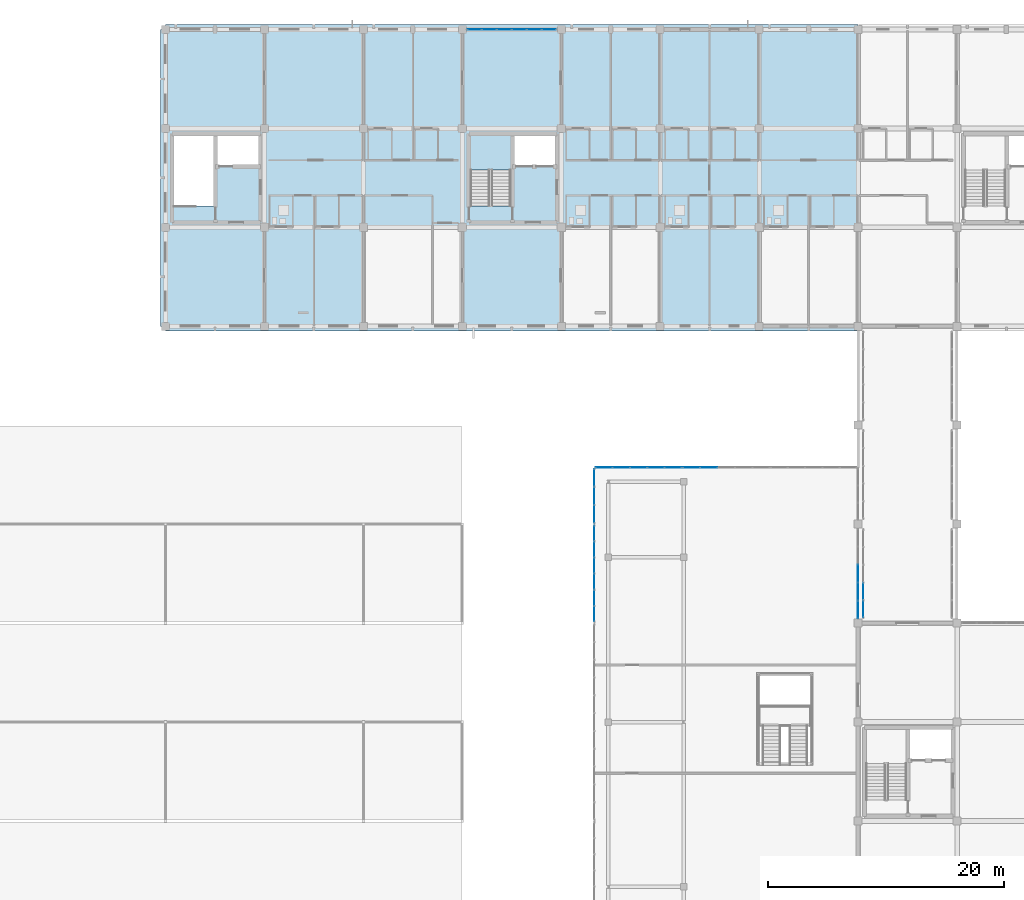
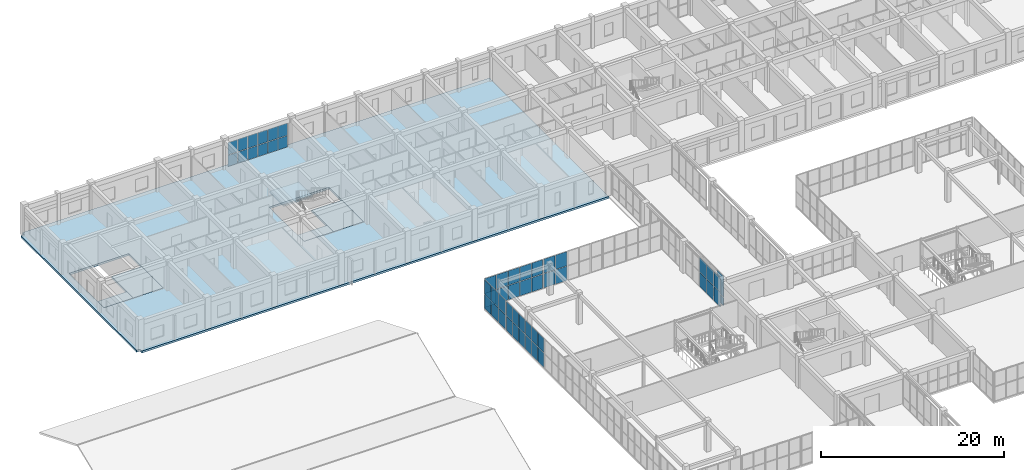
# One storey, part 101 of 140: 53 plates, 6 slabs, 8 elements without a shape of their own.
"""IFC4 building model written with IfcOpenShell, lengths in metres."""

from ifc_helpers import new_model, si_unit, direction, frame, origin, origin_2d, place, context, subcontext, project, spatial, polyline, rectangle, outline, extrude, material, layer, layer_set, type_object, element, aggregate, save


model = new_model("IFC4")

# Units and contexts
model_context = context("Model", 3, precision=1e-05, world=origin(), true_north=direction((0.0, 1.0)))
body_context = subcontext(model_context, "Body", "Model", "MODEL_VIEW")
ifc_project = project(units=[si_unit("LENGTHUNIT", "METRE"), si_unit("AREAUNIT", "SQUARE_METRE"), si_unit("VOLUMEUNIT", "CUBIC_METRE"), si_unit("PLANEANGLEUNIT", "RADIAN"), si_unit("MASSUNIT", "GRAM", prefix="KILO")], contexts=[model_context])

# Site, building, storey
site_placement = place(None, origin())
site = spatial("IfcSite", under=ifc_project, at=site_placement, CompositionType="ELEMENT")
building_placement = place(site_placement, origin())
building = spatial("IfcBuilding", under=site, at=building_placement, Name="Trelvath General Hospital", CompositionType="ELEMENT")
storey_placement = place(building_placement, frame((0.0, 0.0, 16.199951171875)))
storey = spatial("IfcBuildingStorey", under=building, at=storey_placement, Name="L04", CompositionType="ELEMENT", Elevation=16.199951171875)

# Curtain wall, plates
ifc_material_1 = material(Name="Anodised aluminium and low-E glass", Category="aluminium")
ifc_layer_1 = layer(ifc_material_1, 0.14990234375)
ifc_layer_set_1 = layer_set([ifc_layer_1], Name="Anodised aluminium and low-E glass")
curtain_wall_type_1 = type_object("IfcCurtainWallType", Name="CW Facade 761 332 15", PredefinedType="USERDEFINED", material=ifc_layer_set_1)
curtain_wall_1_placement = place(storey_placement, origin())
curtain_wall_1 = element("IfcCurtainWall", 1, at=curtain_wall_1_placement, inside=storey, type_object=curtain_wall_type_1, Name="Facade Curtain Wall CW-063", ObjectType="Unitised Glazed Curtain Wall", PredefinedType="USERDEFINED")
ifc_material_2 = material(Name="Low-E laminated glass", Category="glass")
ifc_layer_2 = layer(ifc_material_2, 0.028076171875)
ifc_layer_set_2 = layer_set([ifc_layer_2], Name="Low-E laminated glass")
plate_type = type_object("IfcPlateType", Name="CurtainPanel Glass28", PredefinedType="CURTAIN_PANEL", material=ifc_layer_set_2)
plate_1_placement = place(storey_placement, frame((43.044189453125, 117.60009765625, 0.06005859375), z_axis=(0.0, 0.0, 1.0), x_axis=(1.0, 0.0, 0.0)))
plate_1 = element("IfcPlate", 2, at=plate_1_placement, type_object=plate_type, Name="CW-063 panel 1.1", PredefinedType="CURTAIN_PANEL", context=body_context, shape_type="SweptSolid", body=[
    extrude(rectangle(XDim=1.17822265625, YDim=0.028076171875, at=origin_2d()), origin(), (0.0, 0.0, 1.0), 1.50390625),
])
plate_2_placement = place(storey_placement, frame((43.044189453125, 117.60009765625, 1.6240234375), z_axis=(0.0, 0.0, 1.0), x_axis=(1.0, 0.0, 0.0)))
plate_2 = element("IfcPlate", 3, at=plate_2_placement, type_object=plate_type, Name="CW-063 panel 1.2", PredefinedType="CURTAIN_PANEL", context=body_context, shape_type="SweptSolid", body=[
    extrude(rectangle(XDim=1.17822265625, YDim=0.028076171875, at=origin_2d()), origin(), (0.0, 0.0, 1.0), 1.635986328125),
])
plate_3_placement = place(storey_placement, frame((44.297607421875, 117.60009765625, 0.06005859375), z_axis=(0.0, 0.0, 1.0), x_axis=(1.0, 0.0, 0.0)))
plate_3 = element("IfcPlate", 4, at=plate_3_placement, type_object=plate_type, Name="CW-063 panel 2.1", PredefinedType="CURTAIN_PANEL", context=body_context, shape_type="SweptSolid", body=[
    extrude(rectangle(XDim=1.208251953125, YDim=0.028076171875, at=origin_2d()), origin(), (0.0, 0.0, 1.0), 1.50390625),
])
plate_4_placement = place(storey_placement, frame((44.297607421875, 117.60009765625, 1.6240234375), z_axis=(0.0, 0.0, 1.0), x_axis=(1.0, 0.0, 0.0)))
plate_4 = element("IfcPlate", 5, at=plate_4_placement, type_object=plate_type, Name="CW-063 panel 2.2", PredefinedType="CURTAIN_PANEL", context=body_context, shape_type="SweptSolid", body=[
    extrude(rectangle(XDim=1.208251953125, YDim=0.028076171875, at=origin_2d()), origin(), (0.0, 0.0, 1.0), 1.635986328125),
])
plate_5_placement = place(storey_placement, frame((45.56591796875, 117.60009765625, 0.06005859375), z_axis=(0.0, 0.0, 1.0), x_axis=(1.0, 0.0, 0.0)))
plate_5 = element("IfcPlate", 6, at=plate_5_placement, type_object=plate_type, Name="CW-063 panel 3.1", PredefinedType="CURTAIN_PANEL", context=body_context, shape_type="SweptSolid", body=[
    extrude(rectangle(XDim=1.208251953125, YDim=0.028076171875, at=origin_2d()), origin(), (0.0, 0.0, 1.0), 1.50390625),
])
plate_6_placement = place(storey_placement, frame((45.56591796875, 117.60009765625, 1.6240234375), z_axis=(0.0, 0.0, 1.0), x_axis=(1.0, 0.0, 0.0)))
plate_6 = element("IfcPlate", 7, at=plate_6_placement, type_object=plate_type, Name="CW-063 panel 3.2", PredefinedType="CURTAIN_PANEL", context=body_context, shape_type="SweptSolid", body=[
    extrude(rectangle(XDim=1.208251953125, YDim=0.028076171875, at=origin_2d()), origin(), (0.0, 0.0, 1.0), 1.635986328125),
])
plate_7_placement = place(storey_placement, frame((46.834228515625, 117.60009765625, 0.06005859375), z_axis=(0.0, 0.0, 1.0), x_axis=(1.0, 0.0, 0.0)))
plate_7 = element("IfcPlate", 8, at=plate_7_placement, type_object=plate_type, Name="CW-063 panel 4.1", PredefinedType="CURTAIN_PANEL", context=body_context, shape_type="SweptSolid", body=[
    extrude(rectangle(XDim=1.208251953125, YDim=0.028076171875, at=origin_2d()), origin(), (0.0, 0.0, 1.0), 1.50390625),
])
plate_8_placement = place(storey_placement, frame((46.834228515625, 117.60009765625, 1.6240234375), z_axis=(0.0, 0.0, 1.0), x_axis=(1.0, 0.0, 0.0)))
plate_8 = element("IfcPlate", 9, at=plate_8_placement, type_object=plate_type, Name="CW-063 panel 4.2", PredefinedType="CURTAIN_PANEL", context=body_context, shape_type="SweptSolid", body=[
    extrude(rectangle(XDim=1.208251953125, YDim=0.028076171875, at=origin_2d()), origin(), (0.0, 0.0, 1.0), 1.635986328125),
])
plate_9_placement = place(storey_placement, frame((48.1025390625, 117.60009765625, 0.06005859375), z_axis=(0.0, 0.0, 1.0), x_axis=(1.0, 0.0, 0.0)))
plate_9 = element("IfcPlate", 10, at=plate_9_placement, type_object=plate_type, Name="CW-063 panel 5.1", PredefinedType="CURTAIN_PANEL", context=body_context, shape_type="SweptSolid", body=[
    extrude(rectangle(XDim=1.208251953125, YDim=0.028076171875, at=origin_2d()), origin(), (0.0, 0.0, 1.0), 1.50390625),
])
plate_10_placement = place(storey_placement, frame((48.1025390625, 117.60009765625, 1.6240234375), z_axis=(0.0, 0.0, 1.0), x_axis=(1.0, 0.0, 0.0)))
plate_10 = element("IfcPlate", 11, at=plate_10_placement, type_object=plate_type, Name="CW-063 panel 5.2", PredefinedType="CURTAIN_PANEL", context=body_context, shape_type="SweptSolid", body=[
    extrude(rectangle(XDim=1.208251953125, YDim=0.028076171875, at=origin_2d()), origin(), (0.0, 0.0, 1.0), 1.635986328125),
])
plate_11_placement = place(storey_placement, frame((49.355712890625, 117.60009765625, 0.06005859375), z_axis=(0.0, 0.0, 1.0), x_axis=(1.0, 0.0, 0.0)))
plate_11 = element("IfcPlate", 12, at=plate_11_placement, type_object=plate_type, Name="CW-063 panel 6.1", PredefinedType="CURTAIN_PANEL", context=body_context, shape_type="SweptSolid", body=[
    extrude(rectangle(XDim=1.17822265625, YDim=0.028076171875, at=origin_2d()), origin(), (0.0, 0.0, 1.0), 1.50390625),
])
plate_12_placement = place(storey_placement, frame((49.355712890625, 117.60009765625, 1.6240234375), z_axis=(0.0, 0.0, 1.0), x_axis=(1.0, 0.0, 0.0)))
plate_12 = element("IfcPlate", 13, at=plate_12_placement, type_object=plate_type, Name="CW-063 panel 6.2", PredefinedType="CURTAIN_PANEL", context=body_context, shape_type="SweptSolid", body=[
    extrude(rectangle(XDim=1.17822265625, YDim=0.028076171875, at=origin_2d()), origin(), (0.0, 0.0, 1.0), 1.635986328125),
])
aggregate(curtain_wall_1, [plate_1, plate_2, plate_3, plate_4, plate_5, plate_6, plate_7, plate_8, plate_9, plate_10, plate_11, plate_12])

ifc_material_3 = material(Name="Anodised aluminium and low-E glass", Category="aluminium")
ifc_layer_3 = layer(ifc_material_3, 0.139892578125)
ifc_layer_set_3 = layer_set([ifc_layer_3], Name="Anodised aluminium and low-E glass")
curtain_wall_type_2 = type_object("IfcCurtainWallType", Name="CW CrystalCube 737 396 14", PredefinedType="USERDEFINED", material=ifc_layer_set_3)
curtain_wall_2_placement = place(storey_placement, origin())
curtain_wall_2 = element("IfcCurtainWall", 14, at=curtain_wall_2_placement, inside=storey, type_object=curtain_wall_type_2, Name="Crystal Cube Curtain Wall CUBE-W-T1 N1 L04", ObjectType="Unitised Glazed Curtain Wall", PredefinedType="USERDEFINED")
plate_13_placement = place(storey_placement, frame((54.03173828125, 80.39990234375, 0.06005859375), z_axis=(0.0, 0.0, 1.0), x_axis=(1.0, 0.0, 0.0)))
plate_13 = element("IfcPlate", 15, at=plate_13_placement, type_object=plate_type, Name="CW-271 panel 1.1", PredefinedType="CURTAIN_PANEL", context=body_context, shape_type="SweptSolid", body=[
    extrude(rectangle(XDim=1.38330078125, YDim=0.028076171875, at=origin_2d()), origin(), (0.0, 0.0, 1.0), 1.889892578125),
])
plate_14_placement = place(storey_placement, frame((54.03173828125, 80.39990234375, 2.01025390625), z_axis=(0.0, 0.0, 1.0), x_axis=(1.0, 0.0, 0.0)))
plate_14 = element("IfcPlate", 16, at=plate_14_placement, type_object=plate_type, Name="CW-271 panel 1.2", PredefinedType="CURTAIN_PANEL", context=body_context, shape_type="SweptSolid", body=[
    extrude(rectangle(XDim=1.38330078125, YDim=0.028076171875, at=origin_2d()), origin(), (0.0, 0.0, 1.0), 1.889892578125),
])
plate_15_placement = place(storey_placement, frame((55.489990234375, 80.39990234375, 0.06005859375), z_axis=(0.0, 0.0, 1.0), x_axis=(1.0, 0.0, 0.0)))
plate_15 = element("IfcPlate", 17, at=plate_15_placement, type_object=plate_type, Name="CW-271 panel 2.1", PredefinedType="CURTAIN_PANEL", context=body_context, shape_type="SweptSolid", body=[
    extrude(rectangle(XDim=1.413330078125, YDim=0.028076171875, at=origin_2d()), origin(), (0.0, 0.0, 1.0), 1.889892578125),
])
plate_16_placement = place(storey_placement, frame((55.489990234375, 80.39990234375, 2.01025390625), z_axis=(0.0, 0.0, 1.0), x_axis=(1.0, 0.0, 0.0)))
plate_16 = element("IfcPlate", 18, at=plate_16_placement, type_object=plate_type, Name="CW-271 panel 2.2", PredefinedType="CURTAIN_PANEL", context=body_context, shape_type="SweptSolid", body=[
    extrude(rectangle(XDim=1.413330078125, YDim=0.028076171875, at=origin_2d()), origin(), (0.0, 0.0, 1.0), 1.889892578125),
])
plate_17_placement = place(storey_placement, frame((56.96337890625, 80.39990234375, 0.06005859375), z_axis=(0.0, 0.0, 1.0), x_axis=(1.0, 0.0, 0.0)))
plate_17 = element("IfcPlate", 19, at=plate_17_placement, type_object=plate_type, Name="CW-271 panel 3.1", PredefinedType="CURTAIN_PANEL", context=body_context, shape_type="SweptSolid", body=[
    extrude(rectangle(XDim=1.413330078125, YDim=0.028076171875, at=origin_2d()), origin(), (0.0, 0.0, 1.0), 1.889892578125),
])
plate_18_placement = place(storey_placement, frame((56.96337890625, 80.39990234375, 2.01025390625), z_axis=(0.0, 0.0, 1.0), x_axis=(1.0, 0.0, 0.0)))
plate_18 = element("IfcPlate", 20, at=plate_18_placement, type_object=plate_type, Name="CW-271 panel 3.2", PredefinedType="CURTAIN_PANEL", context=body_context, shape_type="SweptSolid", body=[
    extrude(rectangle(XDim=1.413330078125, YDim=0.028076171875, at=origin_2d()), origin(), (0.0, 0.0, 1.0), 1.889892578125),
])
plate_19_placement = place(storey_placement, frame((58.436767578125, 80.39990234375, 0.06005859375), z_axis=(0.0, 0.0, 1.0), x_axis=(1.0, 0.0, 0.0)))
plate_19 = element("IfcPlate", 21, at=plate_19_placement, type_object=plate_type, Name="CW-271 panel 4.1", PredefinedType="CURTAIN_PANEL", context=body_context, shape_type="SweptSolid", body=[
    extrude(rectangle(XDim=1.413330078125, YDim=0.028076171875, at=origin_2d()), origin(), (0.0, 0.0, 1.0), 1.889892578125),
])
plate_20_placement = place(storey_placement, frame((58.436767578125, 80.39990234375, 2.01025390625), z_axis=(0.0, 0.0, 1.0), x_axis=(1.0, 0.0, 0.0)))
plate_20 = element("IfcPlate", 22, at=plate_20_placement, type_object=plate_type, Name="CW-271 panel 4.2", PredefinedType="CURTAIN_PANEL", context=body_context, shape_type="SweptSolid", body=[
    extrude(rectangle(XDim=1.413330078125, YDim=0.028076171875, at=origin_2d()), origin(), (0.0, 0.0, 1.0), 1.889892578125),
])
plate_21_placement = place(storey_placement, frame((59.89501953125, 80.39990234375, 0.06005859375), z_axis=(0.0, 0.0, 1.0), x_axis=(1.0, 0.0, 0.0)))
plate_21 = element("IfcPlate", 23, at=plate_21_placement, type_object=plate_type, Name="CW-271 panel 5.1", PredefinedType="CURTAIN_PANEL", context=body_context, shape_type="SweptSolid", body=[
    extrude(rectangle(XDim=1.38330078125, YDim=0.028076171875, at=origin_2d()), origin(), (0.0, 0.0, 1.0), 1.889892578125),
])
plate_22_placement = place(storey_placement, frame((59.89501953125, 80.39990234375, 2.01025390625), z_axis=(0.0, 0.0, 1.0), x_axis=(1.0, 0.0, 0.0)))
plate_22 = element("IfcPlate", 24, at=plate_22_placement, type_object=plate_type, Name="CW-271 panel 5.2", PredefinedType="CURTAIN_PANEL", context=body_context, shape_type="SweptSolid", body=[
    extrude(rectangle(XDim=1.38330078125, YDim=0.028076171875, at=origin_2d()), origin(), (0.0, 0.0, 1.0), 1.889892578125),
])
aggregate(curtain_wall_2, [plate_13, plate_14, plate_15, plate_16, plate_17, plate_18, plate_19, plate_20, plate_21, plate_22])

ifc_material_4 = material(Name="Anodised aluminium and low-E glass", Category="aluminium")
ifc_layer_4 = layer(ifc_material_4, 0.139892578125)
ifc_layer_set_4 = layer_set([ifc_layer_4], Name="Anodised aluminium and low-E glass")
curtain_wall_type_3 = type_object("IfcCurtainWallType", Name="CW CrystalCube 743 396 14", PredefinedType="USERDEFINED", material=ifc_layer_set_4)
curtain_wall_3_placement = place(storey_placement, origin())
curtain_wall_3 = element("IfcCurtainWall", 25, at=curtain_wall_3_placement, inside=storey, type_object=curtain_wall_type_3, Name="Crystal Cube Curtain Wall CUBE-W-T1 N2 L04", ObjectType="Unitised Glazed Curtain Wall", PredefinedType="USERDEFINED")
plate_23_placement = place(storey_placement, frame((61.4443359375, 80.39990234375, 0.06005859375), z_axis=(0.0, 0.0, 1.0), x_axis=(1.0, 0.0, 0.0)))
plate_23 = element("IfcPlate", 26, at=plate_23_placement, type_object=plate_type, Name="CW-272 panel 1.1", PredefinedType="CURTAIN_PANEL", context=body_context, shape_type="SweptSolid", body=[
    extrude(rectangle(XDim=1.395263671875, YDim=0.028076171875, at=origin_2d()), origin(), (0.0, 0.0, 1.0), 1.889892578125),
])
plate_24_placement = place(storey_placement, frame((61.4443359375, 80.39990234375, 2.01025390625), z_axis=(0.0, 0.0, 1.0), x_axis=(1.0, 0.0, 0.0)))
plate_24 = element("IfcPlate", 27, at=plate_24_placement, type_object=plate_type, Name="CW-272 panel 1.2", PredefinedType="CURTAIN_PANEL", context=body_context, shape_type="SweptSolid", body=[
    extrude(rectangle(XDim=1.395263671875, YDim=0.028076171875, at=origin_2d()), origin(), (0.0, 0.0, 1.0), 1.889892578125),
])
plate_25_placement = place(storey_placement, frame((62.914794921875, 80.39990234375, 0.06005859375), z_axis=(0.0, 0.0, 1.0), x_axis=(1.0, 0.0, 0.0)))
plate_25 = element("IfcPlate", 28, at=plate_25_placement, type_object=plate_type, Name="CW-272 panel 2.1", PredefinedType="CURTAIN_PANEL", context=body_context, shape_type="SweptSolid", body=[
    extrude(rectangle(XDim=1.42529296875, YDim=0.028076171875, at=origin_2d()), origin(), (0.0, 0.0, 1.0), 1.889892578125),
])
plate_26_placement = place(storey_placement, frame((62.914794921875, 80.39990234375, 2.01025390625), z_axis=(0.0, 0.0, 1.0), x_axis=(1.0, 0.0, 0.0)))
plate_26 = element("IfcPlate", 29, at=plate_26_placement, type_object=plate_type, Name="CW-272 panel 2.2", PredefinedType="CURTAIN_PANEL", context=body_context, shape_type="SweptSolid", body=[
    extrude(rectangle(XDim=1.42529296875, YDim=0.028076171875, at=origin_2d()), origin(), (0.0, 0.0, 1.0), 1.889892578125),
])
aggregate(curtain_wall_3, [plate_23, plate_24, plate_25, plate_26])

ifc_material_5 = material(Name="Anodised aluminium and low-E glass", Category="aluminium")
ifc_layer_5 = layer(ifc_material_5, 0.139892578125)
ifc_layer_set_5 = layer_set([ifc_layer_5], Name="Anodised aluminium and low-E glass")
curtain_wall_type_4 = type_object("IfcCurtainWallType", Name="CW CrystalCube 824 396 14", PredefinedType="USERDEFINED", material=ifc_layer_set_5)
curtain_wall_4_placement = place(storey_placement, origin())
curtain_wall_4 = element("IfcCurtainWall", 30, at=curtain_wall_4_placement, inside=storey, type_object=curtain_wall_type_4, Name="Crystal Cube Curtain Wall CUBE-W-T1 W4 L04", ObjectType="Unitised Glazed Curtain Wall", PredefinedType="USERDEFINED")
plate_27_placement = place(storey_placement, frame((53.199951171875, 67.981689453125, 0.06005859375), z_axis=(0.0, 0.0, 1.0), x_axis=(0.0, 1.0, 0.0)))
plate_27 = element("IfcPlate", 31, at=plate_27_placement, type_object=plate_type, Name="CW-278 panel 1.1", PredefinedType="CURTAIN_PANEL", context=body_context, shape_type="SweptSolid", body=[
    extrude(rectangle(XDim=1.283447265625, YDim=0.028076171875, at=origin_2d()), origin(), (0.0, 0.0, 1.0), 1.889892578125),
])
plate_28_placement = place(storey_placement, frame((53.199951171875, 67.981689453125, 2.01025390625), z_axis=(0.0, 0.0, 1.0), x_axis=(0.0, 1.0, 0.0)))
plate_28 = element("IfcPlate", 32, at=plate_28_placement, type_object=plate_type, Name="CW-278 panel 1.2", PredefinedType="CURTAIN_PANEL", context=body_context, shape_type="SweptSolid", body=[
    extrude(rectangle(XDim=1.283447265625, YDim=0.028076171875, at=origin_2d()), origin(), (0.0, 0.0, 1.0), 1.889892578125),
])
plate_29_placement = place(storey_placement, frame((53.199951171875, 69.340087890625, 0.06005859375), z_axis=(0.0, 0.0, 1.0), x_axis=(0.0, 1.0, 0.0)))
plate_29 = element("IfcPlate", 33, at=plate_29_placement, type_object=plate_type, Name="CW-278 panel 2.1", PredefinedType="CURTAIN_PANEL", context=body_context, shape_type="SweptSolid", body=[
    extrude(rectangle(XDim=1.313232421875, YDim=0.028076171875, at=origin_2d()), origin(), (0.0, 0.0, 1.0), 1.889892578125),
])
plate_30_placement = place(storey_placement, frame((53.199951171875, 69.340087890625, 2.01025390625), z_axis=(0.0, 0.0, 1.0), x_axis=(0.0, 1.0, 0.0)))
plate_30 = element("IfcPlate", 34, at=plate_30_placement, type_object=plate_type, Name="CW-278 panel 2.2", PredefinedType="CURTAIN_PANEL", context=body_context, shape_type="SweptSolid", body=[
    extrude(rectangle(XDim=1.313232421875, YDim=0.028076171875, at=origin_2d()), origin(), (0.0, 0.0, 1.0), 1.889892578125),
])
plate_31_placement = place(storey_placement, frame((53.199951171875, 70.71337890625, 0.06005859375), z_axis=(0.0, 0.0, 1.0), x_axis=(0.0, 1.0, 0.0)))
plate_31 = element("IfcPlate", 35, at=plate_31_placement, type_object=plate_type, Name="CW-278 panel 3.1", PredefinedType="CURTAIN_PANEL", context=body_context, shape_type="SweptSolid", body=[
    extrude(rectangle(XDim=1.313232421875, YDim=0.028076171875, at=origin_2d()), origin(), (0.0, 0.0, 1.0), 1.889892578125),
])
plate_32_placement = place(storey_placement, frame((53.199951171875, 70.71337890625, 2.01025390625), z_axis=(0.0, 0.0, 1.0), x_axis=(0.0, 1.0, 0.0)))
plate_32 = element("IfcPlate", 36, at=plate_32_placement, type_object=plate_type, Name="CW-278 panel 3.2", PredefinedType="CURTAIN_PANEL", context=body_context, shape_type="SweptSolid", body=[
    extrude(rectangle(XDim=1.313232421875, YDim=0.028076171875, at=origin_2d()), origin(), (0.0, 0.0, 1.0), 1.889892578125),
])
plate_33_placement = place(storey_placement, frame((53.199951171875, 72.086669921875, 0.06005859375), z_axis=(0.0, 0.0, 1.0), x_axis=(0.0, 1.0, 0.0)))
plate_33 = element("IfcPlate", 37, at=plate_33_placement, type_object=plate_type, Name="CW-278 panel 4.1", PredefinedType="CURTAIN_PANEL", context=body_context, shape_type="SweptSolid", body=[
    extrude(rectangle(XDim=1.313232421875, YDim=0.028076171875, at=origin_2d()), origin(), (0.0, 0.0, 1.0), 1.889892578125),
])
plate_34_placement = place(storey_placement, frame((53.199951171875, 72.086669921875, 2.01025390625), z_axis=(0.0, 0.0, 1.0), x_axis=(0.0, 1.0, 0.0)))
plate_34 = element("IfcPlate", 38, at=plate_34_placement, type_object=plate_type, Name="CW-278 panel 4.2", PredefinedType="CURTAIN_PANEL", context=body_context, shape_type="SweptSolid", body=[
    extrude(rectangle(XDim=1.313232421875, YDim=0.028076171875, at=origin_2d()), origin(), (0.0, 0.0, 1.0), 1.889892578125),
])
plate_35_placement = place(storey_placement, frame((53.199951171875, 73.4599609375, 0.06005859375), z_axis=(0.0, 0.0, 1.0), x_axis=(0.0, 1.0, 0.0)))
plate_35 = element("IfcPlate", 39, at=plate_35_placement, type_object=plate_type, Name="CW-278 panel 5.1", PredefinedType="CURTAIN_PANEL", context=body_context, shape_type="SweptSolid", body=[
    extrude(rectangle(XDim=1.313232421875, YDim=0.028076171875, at=origin_2d()), origin(), (0.0, 0.0, 1.0), 1.889892578125),
])
plate_36_placement = place(storey_placement, frame((53.199951171875, 73.4599609375, 2.01025390625), z_axis=(0.0, 0.0, 1.0), x_axis=(0.0, 1.0, 0.0)))
plate_36 = element("IfcPlate", 40, at=plate_36_placement, type_object=plate_type, Name="CW-278 panel 5.2", PredefinedType="CURTAIN_PANEL", context=body_context, shape_type="SweptSolid", body=[
    extrude(rectangle(XDim=1.313232421875, YDim=0.028076171875, at=origin_2d()), origin(), (0.0, 0.0, 1.0), 1.889892578125),
])
plate_37_placement = place(storey_placement, frame((53.199951171875, 74.818359375, 0.06005859375), z_axis=(0.0, 0.0, 1.0), x_axis=(0.0, 1.0, 0.0)))
plate_37 = element("IfcPlate", 41, at=plate_37_placement, type_object=plate_type, Name="CW-278 panel 6.1", PredefinedType="CURTAIN_PANEL", context=body_context, shape_type="SweptSolid", body=[
    extrude(rectangle(XDim=1.283447265625, YDim=0.028076171875, at=origin_2d()), origin(), (0.0, 0.0, 1.0), 1.889892578125),
])
plate_38_placement = place(storey_placement, frame((53.199951171875, 74.818359375, 2.01025390625), z_axis=(0.0, 0.0, 1.0), x_axis=(0.0, 1.0, 0.0)))
plate_38 = element("IfcPlate", 42, at=plate_38_placement, type_object=plate_type, Name="CW-278 panel 6.2", PredefinedType="CURTAIN_PANEL", context=body_context, shape_type="SweptSolid", body=[
    extrude(rectangle(XDim=1.283447265625, YDim=0.028076171875, at=origin_2d()), origin(), (0.0, 0.0, 1.0), 1.889892578125),
])
aggregate(curtain_wall_4, [plate_27, plate_28, plate_29, plate_30, plate_31, plate_32, plate_33, plate_34, plate_35, plate_36, plate_37, plate_38])

ifc_material_6 = material(Name="Anodised aluminium and low-E glass", Category="aluminium")
ifc_layer_6 = layer(ifc_material_6, 0.139892578125)
ifc_layer_set_6 = layer_set([ifc_layer_6], Name="Anodised aluminium and low-E glass")
curtain_wall_type_5 = type_object("IfcCurtainWallType", Name="CW CrystalCube 766 396 14", PredefinedType="USERDEFINED", material=ifc_layer_set_6)
curtain_wall_5_placement = place(storey_placement, origin())
curtain_wall_5 = element("IfcCurtainWall", 43, at=curtain_wall_5_placement, inside=storey, type_object=curtain_wall_type_5, Name="Crystal Cube Curtain Wall CUBE-W-T1 E4 L04", ObjectType="Unitised Glazed Curtain Wall", PredefinedType="USERDEFINED")
plate_39_placement = place(storey_placement, frame((75.60009765625, 71.39990234375, 0.06005859375), z_axis=(0.0, 0.0, 1.0), x_axis=(0.0, -1.0, 0.0)))
plate_39 = element("IfcPlate", 44, at=plate_39_placement, type_object=plate_type, Name="CW-279 panel 3.1", PredefinedType="CURTAIN_PANEL", context=body_context, shape_type="SweptSolid", body=[
    extrude(rectangle(XDim=1.471923828125, YDim=0.028076171875, at=origin_2d()), origin(), (0.0, 0.0, 1.0), 1.889892578125),
])
plate_40_placement = place(storey_placement, frame((75.60009765625, 71.39990234375, 2.01025390625), z_axis=(0.0, 0.0, 1.0), x_axis=(0.0, -1.0, 0.0)))
plate_40 = element("IfcPlate", 45, at=plate_40_placement, type_object=plate_type, Name="CW-279 panel 3.2", PredefinedType="CURTAIN_PANEL", context=body_context, shape_type="SweptSolid", body=[
    extrude(rectangle(XDim=1.471923828125, YDim=0.028076171875, at=origin_2d()), origin(), (0.0, 0.0, 1.0), 1.889892578125),
])
plate_41_placement = place(storey_placement, frame((75.60009765625, 69.867919921875, 0.06005859375), z_axis=(0.0, 0.0, 1.0), x_axis=(0.0, -1.0, 0.0)))
plate_41 = element("IfcPlate", 46, at=plate_41_placement, type_object=plate_type, Name="CW-279 panel 4.1", PredefinedType="CURTAIN_PANEL", context=body_context, shape_type="SweptSolid", body=[
    extrude(rectangle(XDim=1.471923828125, YDim=0.028076171875, at=origin_2d()), origin(), (0.0, 0.0, 1.0), 1.889892578125),
])
plate_42_placement = place(storey_placement, frame((75.60009765625, 69.867919921875, 2.01025390625), z_axis=(0.0, 0.0, 1.0), x_axis=(0.0, -1.0, 0.0)))
plate_42 = element("IfcPlate", 47, at=plate_42_placement, type_object=plate_type, Name="CW-279 panel 4.2", PredefinedType="CURTAIN_PANEL", context=body_context, shape_type="SweptSolid", body=[
    extrude(rectangle(XDim=1.471923828125, YDim=0.028076171875, at=origin_2d()), origin(), (0.0, 0.0, 1.0), 1.889892578125),
])
plate_43_placement = place(storey_placement, frame((75.60009765625, 68.35107421875, 0.06005859375), z_axis=(0.0, 0.0, 1.0), x_axis=(0.0, -1.0, 0.0)))
plate_43 = element("IfcPlate", 48, at=plate_43_placement, type_object=plate_type, Name="CW-279 panel 5.1", PredefinedType="CURTAIN_PANEL", context=body_context, shape_type="SweptSolid", body=[
    extrude(rectangle(XDim=1.44189453125, YDim=0.028076171875, at=origin_2d()), origin(), (0.0, 0.0, 1.0), 1.889892578125),
])
plate_44_placement = place(storey_placement, frame((75.60009765625, 68.35107421875, 2.01025390625), z_axis=(0.0, 0.0, 1.0), x_axis=(0.0, -1.0, 0.0)))
plate_44 = element("IfcPlate", 49, at=plate_44_placement, type_object=plate_type, Name="CW-279 panel 5.2", PredefinedType="CURTAIN_PANEL", context=body_context, shape_type="SweptSolid", body=[
    extrude(rectangle(XDim=1.44189453125, YDim=0.028076171875, at=origin_2d()), origin(), (0.0, 0.0, 1.0), 1.889892578125),
])
aggregate(curtain_wall_5, [plate_39, plate_40, plate_41, plate_42, plate_43, plate_44])

ifc_material_7 = material(Name="Anodised aluminium and low-E glass", Category="aluminium")
ifc_layer_7 = layer(ifc_material_7, 0.139892578125)
ifc_layer_set_7 = layer_set([ifc_layer_7], Name="Anodised aluminium and low-E glass")
curtain_wall_type_6 = type_object("IfcCurtainWallType", Name="CW CrystalCube 464 396 14", PredefinedType="USERDEFINED", material=ifc_layer_set_7)
curtain_wall_6_placement = place(storey_placement, origin())
curtain_wall_6 = element("IfcCurtainWall", 50, at=curtain_wall_6_placement, inside=storey, type_object=curtain_wall_type_6, Name="Crystal Cube Curtain Wall CUBE-W-T1 W5 L04", ObjectType="Unitised Glazed Curtain Wall", PredefinedType="USERDEFINED")
plate_45_placement = place(storey_placement, frame((53.199951171875, 76.46826171875, 0.06005859375), z_axis=(0.0, 0.0, 1.0), x_axis=(0.0, 1.0, 0.0)))
plate_45 = element("IfcPlate", 51, at=plate_45_placement, type_object=plate_type, Name="CW-280 panel 1.1", PredefinedType="CURTAIN_PANEL", context=body_context, shape_type="SweptSolid", body=[
    extrude(rectangle(XDim=1.456787109375, YDim=0.028076171875, at=origin_2d()), origin(), (0.0, 0.0, 1.0), 1.889892578125),
])
plate_46_placement = place(storey_placement, frame((53.199951171875, 76.46826171875, 2.01025390625), z_axis=(0.0, 0.0, 1.0), x_axis=(0.0, 1.0, 0.0)))
plate_46 = element("IfcPlate", 52, at=plate_46_placement, type_object=plate_type, Name="CW-280 panel 1.2", PredefinedType="CURTAIN_PANEL", context=body_context, shape_type="SweptSolid", body=[
    extrude(rectangle(XDim=1.456787109375, YDim=0.028076171875, at=origin_2d()), origin(), (0.0, 0.0, 1.0), 1.889892578125),
])
plate_47_placement = place(storey_placement, frame((53.199951171875, 78.0, 0.06005859375), z_axis=(0.0, 0.0, 1.0), x_axis=(0.0, 1.0, 0.0)))
plate_47 = element("IfcPlate", 53, at=plate_47_placement, type_object=plate_type, Name="CW-280 panel 2.1", PredefinedType="CURTAIN_PANEL", context=body_context, shape_type="SweptSolid", body=[
    extrude(rectangle(XDim=1.486572265625, YDim=0.028076171875, at=origin_2d()), origin(), (0.0, 0.0, 1.0), 1.889892578125),
])
plate_48_placement = place(storey_placement, frame((53.199951171875, 78.0, 2.01025390625), z_axis=(0.0, 0.0, 1.0), x_axis=(0.0, 1.0, 0.0)))
plate_48 = element("IfcPlate", 54, at=plate_48_placement, type_object=plate_type, Name="CW-280 panel 2.2", PredefinedType="CURTAIN_PANEL", context=body_context, shape_type="SweptSolid", body=[
    extrude(rectangle(XDim=1.486572265625, YDim=0.028076171875, at=origin_2d()), origin(), (0.0, 0.0, 1.0), 1.889892578125),
])
plate_49_placement = place(storey_placement, frame((53.199951171875, 79.53173828125, 0.06005859375), z_axis=(0.0, 0.0, 1.0), x_axis=(0.0, 1.0, 0.0)))
plate_49 = element("IfcPlate", 55, at=plate_49_placement, type_object=plate_type, Name="CW-280 panel 3.1", PredefinedType="CURTAIN_PANEL", context=body_context, shape_type="SweptSolid", body=[
    extrude(rectangle(XDim=1.456787109375, YDim=0.028076171875, at=origin_2d()), origin(), (0.0, 0.0, 1.0), 1.889892578125),
])
plate_50_placement = place(storey_placement, frame((53.199951171875, 79.53173828125, 2.01025390625), z_axis=(0.0, 0.0, 1.0), x_axis=(0.0, 1.0, 0.0)))
plate_50 = element("IfcPlate", 56, at=plate_50_placement, type_object=plate_type, Name="CW-280 panel 3.2", PredefinedType="CURTAIN_PANEL", context=body_context, shape_type="SweptSolid", body=[
    extrude(rectangle(XDim=1.456787109375, YDim=0.028076171875, at=origin_2d()), origin(), (0.0, 0.0, 1.0), 1.889892578125),
])
aggregate(curtain_wall_6, [plate_45, plate_46, plate_47, plate_48, plate_49, plate_50])

ifc_material_8 = material(Name="Anodised aluminium and low-E glass", Category="aluminium")
ifc_layer_8 = layer(ifc_material_8, 0.139892578125)
ifc_layer_set_8 = layer_set([ifc_layer_8], Name="Anodised aluminium and low-E glass")
curtain_wall_type_7 = type_object("IfcCurtainWallType", Name="CW Bridge 752 401", PredefinedType="USERDEFINED", material=ifc_layer_set_8)
curtain_wall_7_placement = place(storey_placement, origin())
curtain_wall_7 = element("IfcCurtainWall", 57, at=curtain_wall_7_placement, inside=storey, type_object=curtain_wall_type_7, Name="Glazed Bridge Curtain Wall BRG-N-C W L04", ObjectType="Unitised Glazed Curtain Wall", PredefinedType="USERDEFINED")
plate_51_placement = place(storey_placement, frame((76.0400390625, 68.406982421875, 0.06005859375), z_axis=(0.0, 0.0, 1.0), x_axis=(0.0, 1.0, 0.0)))
plate_51 = element("IfcPlate", 58, at=plate_51_placement, type_object=plate_type, Name="CW-296 panel 1.1", PredefinedType="CURTAIN_PANEL", context=body_context, shape_type="SweptSolid", body=[
    extrude(rectangle(XDim=1.4140625, YDim=0.028076171875, at=origin_2d()), origin(), (0.0, 0.0, 1.0), 1.010009765625),
])
plate_52_placement = place(storey_placement, frame((76.0400390625, 68.406982421875, 1.1298828125), z_axis=(0.0, 0.0, 1.0), x_axis=(0.0, 1.0, 0.0)))
plate_52 = element("IfcPlate", 59, at=plate_52_placement, type_object=plate_type, Name="CW-296 panel 1.2", PredefinedType="CURTAIN_PANEL", context=body_context, shape_type="SweptSolid", body=[
    extrude(rectangle(XDim=1.4140625, YDim=0.028076171875, at=origin_2d()), origin(), (0.0, 0.0, 1.0), 2.820068359375),
])
plate_53_placement = place(storey_placement, frame((76.0400390625, 69.89599609375, 0.06005859375), z_axis=(0.0, 0.0, 1.0), x_axis=(0.0, 1.0, 0.0)))
plate_53 = element("IfcPlate", 60, at=plate_53_placement, type_object=plate_type, Name="CW-296 panel 2.1", PredefinedType="CURTAIN_PANEL", context=body_context, shape_type="SweptSolid", body=[
    extrude(rectangle(XDim=1.444091796875, YDim=0.028076171875, at=origin_2d()), origin(), (0.0, 0.0, 1.0), 1.010009765625),
])
aggregate(curtain_wall_7, [plate_51, plate_52, plate_53])

# Slabs
ifc_material_9 = material(Name="Concrete C35/45", Category="concrete")
ifc_layer_9 = layer(ifc_material_9, 0.260009765625)
ifc_layer_set_9 = layer_set([ifc_layer_9], Name="Concrete C35/45")
slab_type_1 = type_object("IfcSlabType", Name="FlatSlab Ward260", PredefinedType="FLOOR", material=ifc_layer_set_9)
slab_1_placement = place(storey_placement, frame((0.0, 0.0, -0.260009765625)))
element("IfcSlab", 61, at=slab_1_placement, inside=storey, type_object=slab_type_1, Name="Floor Slab SL-L04-V5-N1", PredefinedType="FLOOR", context=body_context, shape_type="SweptSolid", body=[
    extrude(outline(polyline([(75.580078125, 92.3798828125), (75.60009765625, 92.3798828125), (75.60009765625, 91.97998046875), (16.800048828125, 91.97998046875), (16.800048828125, 92.39990234375), (16.3798828125, 92.39990234375), (16.3798828125, 117.60009765625), (16.800048828125, 117.60009765625), (16.800048828125, 118.02001953125), (75.60009765625, 118.02001953125), (75.60009765625, 117.6201171875), (75.580078125, 117.6201171875), (75.60009765625, 117.60009765625), (75.60009765625, 92.39990234375), (75.580078125, 92.3798828125)]), holes=[polyline([(17.35009765625, 101.199951171875), (24.85009765625, 101.199951171875), (24.85009765625, 108.75), (17.35009765625, 108.75), (17.35009765625, 101.199951171875)]), polyline([(42.550048828125, 101.199951171875), (50.050048828125, 101.199951171875), (50.050048828125, 108.75), (42.550048828125, 108.75), (42.550048828125, 101.199951171875)])]), origin(), (0.0, 0.0, 1.0), 0.260009765625),
])
slab_2_placement = place(storey_placement, frame((0.0, 0.0, -0.260009765625)))
element("IfcSlab", 62, at=slab_2_placement, inside=storey, type_object=slab_type_1, Name="Core Lobby Slab C1 L04", PredefinedType="FLOOR", context=body_context, shape_type="SweptSolid", body=[
    extrude(outline(polyline([(46.25, 101.199951171875), (50.050048828125, 101.199951171875), (50.050048828125, 105.949951171875), (46.25, 105.949951171875), (46.25, 101.199951171875)])), origin(), (0.0, 0.0, 1.0), 0.260009765625),
])
slab_3_placement = place(storey_placement, frame((0.0, 0.0, -0.260009765625)))
element("IfcSlab", 63, at=slab_3_placement, inside=storey, type_object=slab_type_1, Name="Stair Landing Slab C1 L04", PredefinedType="FLOOR", context=body_context, shape_type="SweptSolid", body=[
    extrude(outline(polyline([(42.550048828125, 101.199951171875), (46.25, 101.199951171875), (46.25, 102.60009765625), (42.550048828125, 102.60009765625), (42.550048828125, 101.199951171875)])), origin(), (0.0, 0.0, 1.0), 0.260009765625),
])
slab_4_placement = place(storey_placement, frame((0.0, 0.0, -0.260009765625)))
element("IfcSlab", 64, at=slab_4_placement, inside=storey, type_object=slab_type_1, Name="Core Lobby Slab C3 L04", PredefinedType="FLOOR", context=body_context, shape_type="SweptSolid", body=[
    extrude(outline(polyline([(21.050048828125, 101.199951171875), (24.85009765625, 101.199951171875), (24.85009765625, 105.949951171875), (21.050048828125, 105.949951171875), (21.050048828125, 101.199951171875)])), origin(), (0.0, 0.0, 1.0), 0.260009765625),
])
slab_5_placement = place(storey_placement, frame((0.0, 0.0, -0.260009765625)))
element("IfcSlab", 65, at=slab_5_placement, inside=storey, type_object=slab_type_1, Name="Stair Landing Slab C3 L04", PredefinedType="FLOOR", context=body_context, shape_type="SweptSolid", body=[
    extrude(outline(polyline([(17.35009765625, 101.199951171875), (21.050048828125, 101.199951171875), (21.050048828125, 102.60009765625), (17.35009765625, 102.60009765625), (17.35009765625, 101.199951171875)])), origin(), (0.0, 0.0, 1.0), 0.260009765625),
])

# Stair, slab
ifc_material_10 = material(Name="Concrete C35/45", Category="concrete")
stair_type = type_object("IfcStairType", Name="Stair Stretcher420", PredefinedType="TWO_STRAIGHT_RUN_STAIR", material=ifc_material_10)
stair_placement = place(storey_placement, origin())
stair = element("IfcStair", 66, at=stair_placement, inside=storey, type_object=stair_type, Name="Exit Stair ST1 L04", PredefinedType="TWO_STRAIGHT_RUN_STAIR")
ifc_material_11 = material(Name="Concrete C35/45", Category="concrete")
ifc_layer_10 = layer(ifc_material_11, 0.199951171875)
ifc_layer_set_10 = layer_set([ifc_layer_10], Name="Concrete C35/45")
slab_type_2 = type_object("IfcSlabType", Name="StairLanding 200", PredefinedType="LANDING", material=ifc_layer_set_10)
slab_6_placement = place(storey_placement, frame((0.0, 0.0, 1.900146484375)))
slab_6 = element("IfcSlab", 67, at=slab_6_placement, type_object=slab_type_2, Name="ST1-L04 landing 1", PredefinedType="LANDING", context=body_context, shape_type="SweptSolid", body=[
    extrude(outline(polyline([(42.56005859375, 105.679931640625), (46.239990234375, 105.679931640625), (46.239990234375, 108.739990234375), (42.56005859375, 108.739990234375), (42.56005859375, 105.679931640625)])), origin(), (0.0, 0.0, 1.0), 0.199951171875),
])
aggregate(stair, [slab_6])

save(model, "model.ifc")
